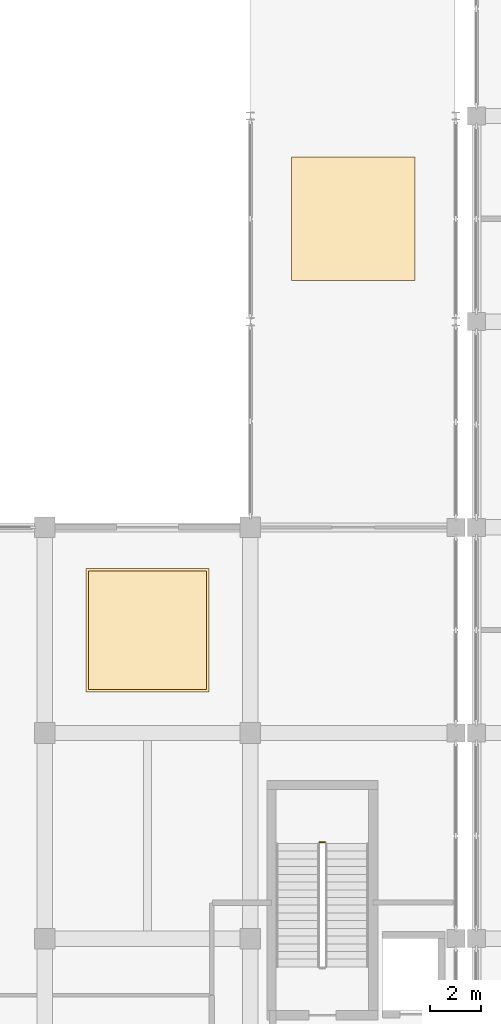
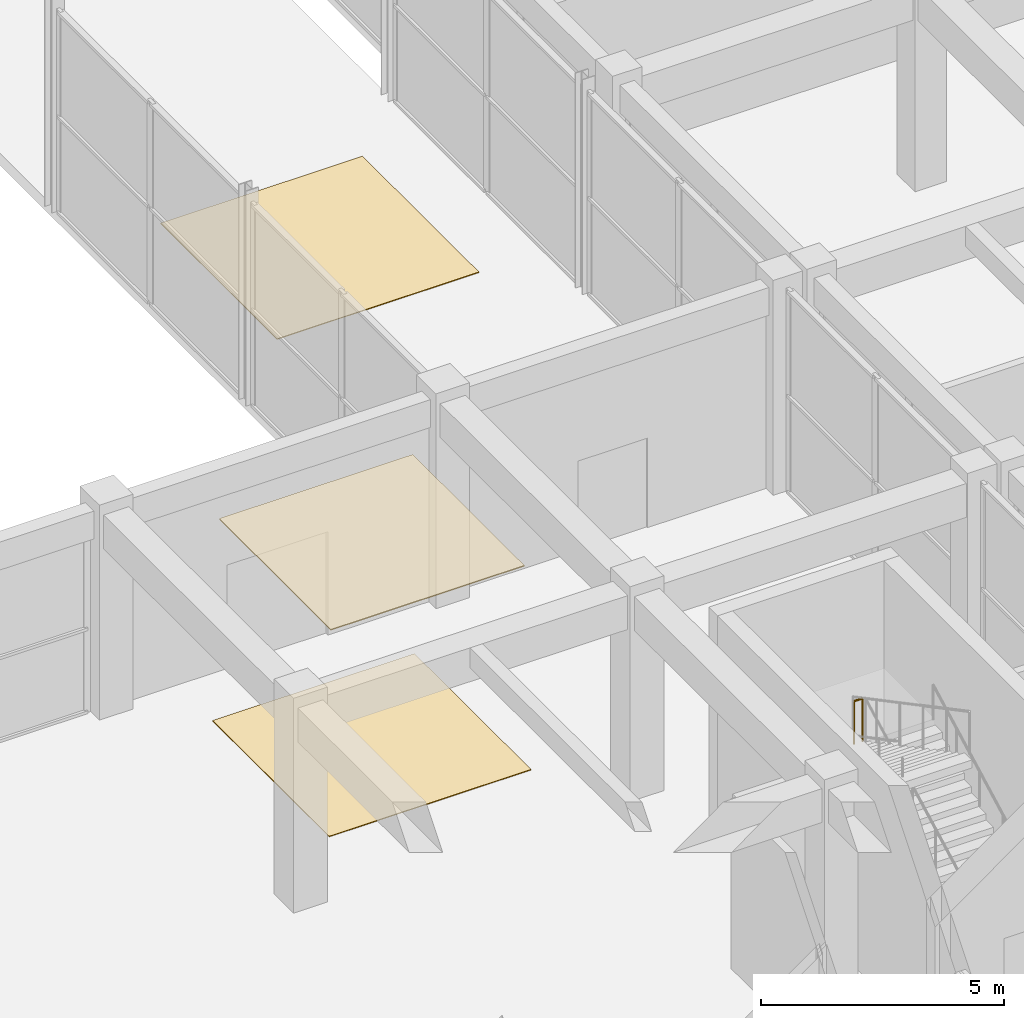
# One storey, part 73 of 86: 3 coverings, 1 railing.
"""IFC4 building model written with IfcOpenShell, lengths in metres."""

from ifc_helpers import new_model, si_unit, direction, frame, origin, origin_2d, place, context, subcontext, project, spatial, rectangle, circle, extrude, material, layer, layer_set, type_object, element, save


model = new_model("IFC4")

# Units and contexts
model_context = context("Model", 3, precision=1e-05, world=origin(), true_north=direction((0.0, 1.0)))
body_context = subcontext(model_context, "Body", "Model", "MODEL_VIEW")
ifc_project = project(units=[si_unit("LENGTHUNIT", "METRE"), si_unit("AREAUNIT", "SQUARE_METRE"), si_unit("VOLUMEUNIT", "CUBIC_METRE"), si_unit("PLANEANGLEUNIT", "RADIAN"), si_unit("MASSUNIT", "GRAM", prefix="KILO")], contexts=[model_context])

# Site, building, storey
site_placement = place(None, origin())
site = spatial("IfcSite", under=ifc_project, at=site_placement, CompositionType="ELEMENT")
building_placement = place(site_placement, origin())
building = spatial("IfcBuilding", under=site, at=building_placement, Name="Kenh Van Central Station", CompositionType="ELEMENT")
storey_placement = place(building_placement, origin())
storey = spatial("IfcBuildingStorey", under=building, at=storey_placement, Name="L00", CompositionType="ELEMENT", Elevation=0.0)

# Coverings
ifc_material_1 = material(Name="Perforated acoustic mineral ceiling board")
ifc_layer_1 = layer(ifc_material_1, 0.02490234375, Name="Perforated acoustic mineral ceiling board")
ifc_layer_set_1 = layer_set([ifc_layer_1], Name="Perforated acoustic mineral ceiling board")
covering_type_1 = type_object("IfcCoveringType", Name="COV-CEIL-ACOUST", PredefinedType="CEILING", material=ifc_layer_set_1)
covering_placement = place(storey_placement, frame((108.0, 36.0, 5.09716796875), z_axis=(0.0, 0.0, 1.0), x_axis=(1.0, 0.0, 0.0)))
element("IfcCovering", 1, at=covering_placement, inside=storey, type_object=covering_type_1, Name="L00 acoustic ceiling panel 018", PredefinedType="CEILING", context=body_context, shape_type="SweptSolid", body=[
    extrude(rectangle(XDim=4.60009765625, YDim=4.60009765625, at=origin_2d()), origin(), (0.0, 0.0, 1.0), 0.02490234375),
])
ifc_material_2 = material(Name="Polished station granite terrazzo", Category="masonry")
ifc_layer_2 = layer(ifc_material_2, 0.02001953125, Name="Polished station granite terrazzo")
ifc_layer_set_2 = layer_set([ifc_layer_2], Name="Polished station granite terrazzo")
covering_type_2 = type_object("IfcCoveringType", Name="COV-FLR-GRANITE", PredefinedType="FLOORING", material=ifc_layer_set_2)
for number, where, z_axis, x_axis, name in (
    (2, (108.0, 36.0, 0.0), (0.0, 0.0, 1.0), (1.0, 0.0, 0.0), "L00 granite floor finish 022"),
    (3, (116.0, 52.0, 0.0), (0.0, 0.0, 1.0), (1.0, 0.0, 0.0), "L00 granite floor finish 024"),
):
    element("IfcCovering", number, at=place(storey_placement, frame(where, z_axis=z_axis, x_axis=x_axis)), inside=storey, type_object=covering_type_2, Name=name, PredefinedType="FLOORING", context=body_context, shape_type="SweptSolid", body=[
        extrude(rectangle(XDim=4.800048828125, YDim=4.800048828125, at=origin_2d()), origin(), (0.0, 0.0, 1.0), 0.02001953125),
    ])

# Railing
ifc_material_3 = material(Name="Champagne anodised aluminium", Category="aluminium")
railing_type = type_object("IfcRailingType", Name="RAIL-CORE-GRD110", PredefinedType="GUARDRAIL", material=ifc_material_3)
railing_placement = place(storey_placement, frame((114.89990234375, 27.75, 2.699951171875)))
element("IfcRailing", 4, at=railing_placement, inside=storey, type_object=railing_type, Name="L00 ST-04 stair guard 2", PredefinedType="GUARDRAIL", context=body_context, shape_type="SweptSolid", body=[
    extrude(circle(Radius=0.02392578125, at=origin_2d()), frame((0.0, 0.0, 1.076171875), z_axis=(-1.0, 0.0, 0.0), x_axis=(0.0, -1.0, 0.0)), (0.0, 0.0, 1.0), 0.199951171875),
    extrude(circle(Radius=0.02099609375, at=origin_2d()), origin(), (0.0, 0.0, 1.0), 1.052001953125),
    extrude(circle(Radius=0.02099609375, at=origin_2d()), frame((-0.199951171875, 0.0, 0.0)), (0.0, 0.0, 1.0), 1.052001953125),
])

save(model, "model.ifc")
